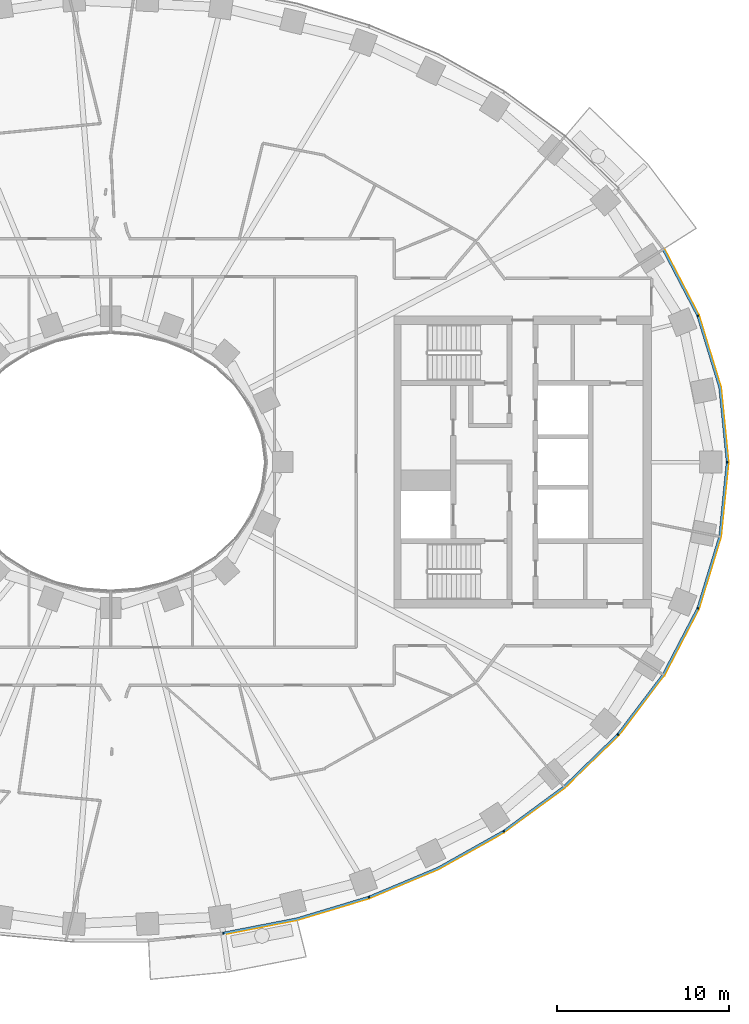
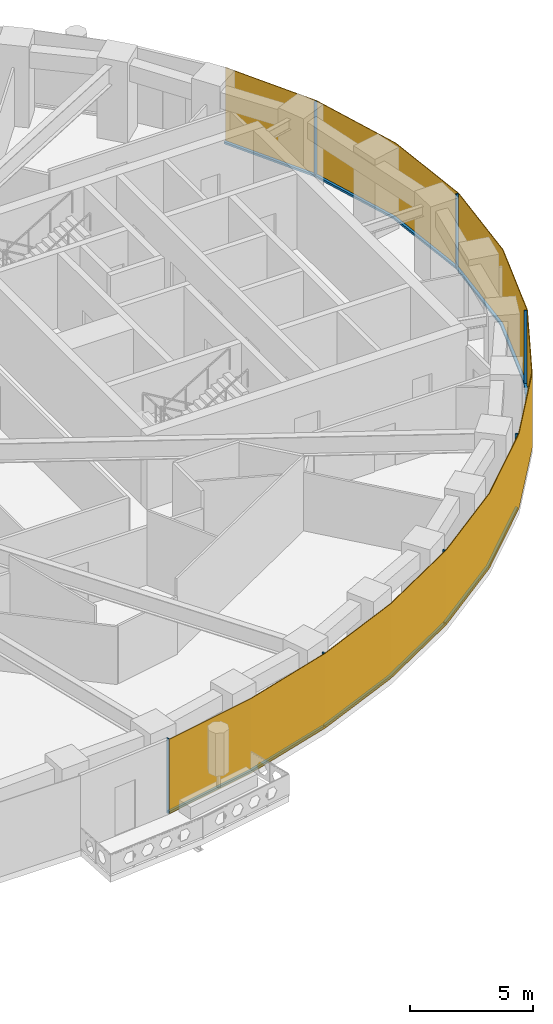
# One storey, part 10 of 16: 14 members, 1 curtain wall.
"""IFC4 building model written with IfcOpenShell, lengths in metres."""

import ifcopenshell
import ifcopenshell.guid

model = None  # the IFC model being written
_history = None  # IfcOwnerHistory: only IFC2X3 demands one
_inside = {}  # id of a spatial element -> (the spatial element, [elements in it])
_under = {}  # id of a project, library or spatial element -> (it, [spatial elements below it])
_declared = {}  # id of a project -> (the project, [libraries it declares])
_typed = {}  # id of a type object -> (the type object, [elements of that type])
_made_of = {}  # id of a material, layer set ... -> (it, [elements and type objects made of it])


def new_model(schema):
    """Start an empty IFC model of exactly this schema.

    Asked for "IFC4X3", IfcOpenShell would pick the latest addendum, in which some entities
    have other attributes; the version numbers below select the first issue.
    IFC2X3 requires an IfcOwnerHistory on every rooted entity: one is made here for all.
    """
    global model, _history
    if schema == "IFC4X3":
        model = ifcopenshell.file(schema_version=(4, 3, 0, 0))
    else:
        model = ifcopenshell.file(schema=schema)
    _inside.clear()
    _under.clear()
    _declared.clear()
    _typed.clear()
    _made_of.clear()
    _history = None
    if model.schema == "IFC2X3":
        org = make("IfcOrganization", Name="unknown")
        user = make(
            "IfcPersonAndOrganization",
            ThePerson=make("IfcPerson", FamilyName="unknown"),
            TheOrganization=org,
        )
        app = make(
            "IfcApplication",
            ApplicationDeveloper=org,
            Version="unknown",
            ApplicationFullName="unknown",
            ApplicationIdentifier="unknown",
        )
        _history = make(
            "IfcOwnerHistory",
            OwningUser=user,
            OwningApplication=app,
            ChangeAction="ADDED",
            CreationDate=0,
        )
    return model


def make(cls, **values):
    """One entity of the class cls with the attributes given. An attribute that is None is left unset."""
    return model.create_entity(
        cls, **{name: value for name, value in values.items() if value is not None}
    )


def rooted(cls, **values):
    """An entity with a GlobalId (a new one), such as an element, a storey or a relation."""
    return make(cls, GlobalId=ifcopenshell.guid.new(), OwnerHistory=_history, **values)


def si_unit(unit_type, name, prefix=None):
    """IfcSIUnit, for example si_unit("LENGTHUNIT", "METRE", prefix="MILLI")."""
    return make("IfcSIUnit", UnitType=unit_type, Prefix=prefix, Name=name)


def assignment(units):
    """IfcUnitAssignment: the units of a project."""
    return None if units is None else make("IfcUnitAssignment", Units=units)


def point(xyz):
    """IfcCartesianPoint."""
    return None if xyz is None else make("IfcCartesianPoint", Coordinates=xyz)


def direction(xyz):
    """IfcDirection."""
    return None if xyz is None else make("IfcDirection", DirectionRatios=xyz)


def frame(location, z_axis=None, x_axis=None):
    """IfcAxis2Placement3D, a coordinate frame: its origin and axes. An axis left out is left unset."""
    return make(
        "IfcAxis2Placement3D",
        Location=point(location),
        Axis=direction(z_axis),
        RefDirection=direction(x_axis),
    )


def frame_2d(location, x_axis=None):
    """IfcAxis2Placement2D, a coordinate frame in the plane: its origin and x axis."""
    return make(
        "IfcAxis2Placement2D", Location=point(location), RefDirection=direction(x_axis)
    )


def origin():
    """The frame at (0, 0, 0) with its axes left unset."""
    return frame((0.0, 0.0, 0.0))


def origin_2d():
    """The frame at (0, 0) in the plane with its x axis left unset."""
    return frame_2d((0.0, 0.0))


def place(relative_to, where):
    """IfcLocalPlacement: puts the frame where relative to a parent placement (None: the world)."""
    return make(
        "IfcLocalPlacement", PlacementRelTo=relative_to, RelativePlacement=where
    )


def context(
    kind, dimensions, precision=None, world=None, true_north=None, identifier=None
):
    """IfcGeometricRepresentationContext, for example the 3D "Model" context."""
    return make(
        "IfcGeometricRepresentationContext",
        ContextIdentifier=identifier,
        ContextType=kind,
        CoordinateSpaceDimension=dimensions,
        Precision=precision,
        WorldCoordinateSystem=world,
        TrueNorth=true_north,
    )


def subcontext(parent, identifier, kind, view, scale=None):
    """IfcGeometricRepresentationSubContext, for example "Body" below "Model"."""
    return make(
        "IfcGeometricRepresentationSubContext",
        ContextIdentifier=identifier,
        ContextType=kind,
        ParentContext=parent,
        TargetScale=scale,
        TargetView=view,
    )


def project(units=None, contexts=None):
    """IfcProject with its units and contexts."""
    return rooted(
        "IfcProject",
        Name="project",
        RepresentationContexts=contexts,
        UnitsInContext=assignment(units),
    )


def spatial(cls, under=None, at=None, **own):
    """A site, building, storey or space (cls), placed at a placement, below another one or the project."""
    s = rooted(cls, ObjectPlacement=at, **own)
    if under is not None:
        _under.setdefault(under.id(), (under, []))[1].append(s)
    return s


def polyline(points):
    """IfcPolyline through the points."""
    return make("IfcPolyline", Points=[point(p) for p in points])


def profile(cls, at=None, kind="AREA", **sizes):
    """A parametric profile (cls). Its sizes go by their IFC names, for example OverallWidth=200.0."""
    return make(cls, ProfileType=kind, Position=at, **sizes)


def rectangle(**sizes):
    """IfcRectangleProfileDef."""
    return profile("IfcRectangleProfileDef", **sizes)


def outline(outer, holes=None, kind="AREA"):
    """IfcArbitraryClosedProfileDef: a profile drawn as a closed curve; with holes, ...WithVoids."""
    if holes is None:
        return make("IfcArbitraryClosedProfileDef", ProfileType=kind, OuterCurve=outer)
    return make(
        "IfcArbitraryProfileDefWithVoids",
        ProfileType=kind,
        OuterCurve=outer,
        InnerCurves=holes,
    )


def extrude(swept, where, along, depth):
    """IfcExtrudedAreaSolid: the profile swept, set in the frame where, extruded along a direction by depth."""
    return make(
        "IfcExtrudedAreaSolid",
        SweptArea=swept,
        Position=where,
        ExtrudedDirection=direction(along),
        Depth=depth,
    )


def shape(context_of_items, identifier, shape_type, items):
    """IfcShapeRepresentation: the items that make up one representation, for example the "Body"."""
    return make(
        "IfcShapeRepresentation",
        ContextOfItems=context_of_items,
        RepresentationIdentifier=identifier,
        RepresentationType=shape_type,
        Items=items,
    )


def material(Name=None, Category=None):
    """IfcMaterial."""
    return make("IfcMaterial", Name=Name, Category=Category)


def layer(
    of_material, thickness, ventilated=None, Name=None, Category=None, Priority=None
):
    """IfcMaterialLayer: one layer of a wall or slab, of a material (None: an air gap)."""
    return make(
        "IfcMaterialLayer",
        Material=of_material,
        LayerThickness=thickness,
        IsVentilated=ventilated,
        Name=Name,
        Category=Category,
        Priority=Priority,
    )


def layer_set(layers, Name=None):
    """IfcMaterialLayerSet."""
    return make("IfcMaterialLayerSet", MaterialLayers=layers, LayerSetName=Name)


def material_profile(
    of_material, cross_section, Name=None, Category=None, Priority=None
):
    """IfcMaterialProfile: a cross section and its material."""
    return make(
        "IfcMaterialProfile",
        Name=Name,
        Material=of_material,
        Profile=cross_section,
        Priority=Priority,
        Category=Category,
    )


def profile_set(profiles, Name=None, composite=None):
    """IfcMaterialProfileSet."""
    return make(
        "IfcMaterialProfileSet",
        Name=Name,
        MaterialProfiles=profiles,
        CompositeProfile=composite,
    )


def made_of(thing, what):
    """Note that an element or type object is made of a material, layer set ...; save() writes the relation."""
    if what is not None:
        _made_of.setdefault(what.id(), (what, []))[1].append(thing)
    return thing


def type_object(cls, material=None, **own):
    """A type object (cls), such as IfcWallType, which elements share."""
    return made_of(rooted(cls, **own), material)


def element(
    cls,
    number,
    at=None,
    inside=None,
    cuts=None,
    type_object=None,
    material=None,
    context=None,
    identifier="Body",
    shape_type=None,
    held_by="IfcProductDefinitionShape",
    body=None,
    shapes=None,
    **own,
):
    """One element of the class cls, such as IfcWall. Its Tag is "e" and its number.

    at: its placement. inside: the storey or other place that contains it. cuts: it is an
    opening in that element (IfcRelVoidsElement). A single representation is given by context,
    identifier, shape_type and body (its items); several are given by shapes. held_by: the class
    of the entity that holds the representations. save() writes the other relations.
    """
    e = rooted(cls, Tag="e%d" % number, ObjectPlacement=at, **own)
    if body is not None:
        shapes = [shape(context, identifier, shape_type, body)]
    if shapes is not None:
        e.Representation = make(held_by, Representations=shapes)
    if inside is not None:
        _inside.setdefault(inside.id(), (inside, []))[1].append(e)
    if cuts is not None:
        rooted(
            "IfcRelVoidsElement", RelatingBuildingElement=cuts, RelatedOpeningElement=e
        )
    if type_object is not None:
        _typed.setdefault(type_object.id(), (type_object, []))[1].append(e)
    return made_of(e, material)


def aggregate(whole, parts):
    """IfcRelAggregates: a whole, such as a stair, and the parts it consists of."""
    return rooted("IfcRelAggregates", RelatingObject=whole, RelatedObjects=parts)


def save(model, path):
    """Write the relations noted so far, then the file.

    IfcRelAggregates (storeys below a building ...), IfcRelContainedInSpatialStructure (elements
    in a storey), IfcRelDefinesByType, IfcRelAssociatesMaterial and IfcRelDeclares: one each for
    every whole, place, type object, material and project.
    """
    for whole, parts in _under.values():
        aggregate(whole, parts)
    for where, things in _inside.values():
        rooted(
            "IfcRelContainedInSpatialStructure",
            RelatedElements=things,
            RelatingStructure=where,
        )
    for kind, things in _typed.values():
        rooted("IfcRelDefinesByType", RelatedObjects=things, RelatingType=kind)
    for what, things in _made_of.values():
        rooted("IfcRelAssociatesMaterial", RelatedObjects=things, RelatingMaterial=what)
    for by, libraries in _declared.values():
        rooted("IfcRelDeclares", RelatingContext=by, RelatedDefinitions=libraries)
    model.write(path)


model = new_model("IFC4")

# Units and contexts
model_context = context("Model", 3, precision=1e-05, world=origin(), true_north=direction((0.0, 1.0)))
body_context = subcontext(model_context, "Body", "Model", "MODEL_VIEW")
ifc_project = project(units=[si_unit("LENGTHUNIT", "METRE"), si_unit("AREAUNIT", "SQUARE_METRE"), si_unit("VOLUMEUNIT", "CUBIC_METRE"), si_unit("PLANEANGLEUNIT", "RADIAN"), si_unit("MASSUNIT", "GRAM", prefix="KILO")], contexts=[model_context])

# Member
ifc_material_1 = material(Name="Aluminium 6063-T6 black anodised", Category="aluminium")
ifc_material_profile = material_profile(ifc_material_1, rectangle(XDim=0.1201171875, YDim=0.06005859375, at=origin_2d()), Name="120x60")
ifc_profile_set = profile_set([ifc_material_profile], Name="Aluminium 6063-T6 black anodised")
member_type_1 = type_object("IfcMemberType", Name="ENV-MULLION-A-120", PredefinedType="MULLION", material=ifc_profile_set)
site_placement = place(None, origin())
building_placement = place(site_placement, origin())
storey_placement = place(building_placement, frame((0.0, 0.0, 96.0)))
member_1_placement = place(storey_placement, frame((6.54638671875, -27.440185546875, 0.0), z_axis=(0.0, 0.0, 1.0), x_axis=(-0.143082012705, 0.989710835366, 0.0)))
member_1 = element("IfcMember", 1, at=member_1_placement, type_object=member_type_1, Name="Mullion A radial 37", PredefinedType="MULLION", context=body_context, shape_type="SweptSolid", body=[
    extrude(rectangle(XDim=0.1201171875, YDim=0.06005859375, at=origin_2d()), origin(), (0.0, 0.0, 1.0), 3.699951171875),
])

member_2_placement = place(storey_placement, frame((15.0341796875, -25.34375, 0.0), z_axis=(0.0, 0.0, 1.0), x_axis=(-0.338379256581, 0.941009818608, 0.0)))
member_2 = element("IfcMember", 2, at=member_2_placement, type_object=member_type_1, Name="Mullion A radial 39", PredefinedType="MULLION", context=body_context, shape_type="SweptSolid", body=[
    extrude(rectangle(XDim=0.1201171875, YDim=0.06005859375, at=origin_2d()), origin(), (0.0, 0.0, 1.0), 3.699951171875),
])

member_3_placement = place(storey_placement, frame((22.882568359375, -21.506591796875, 0.0), z_axis=(0.0, 0.0, 1.0), x_axis=(-0.542279153225, 0.840198381323, 0.0)))
member_3 = element("IfcMember", 3, at=member_3_placement, type_object=member_type_1, Name="Mullion A radial 41", PredefinedType="MULLION", context=body_context, shape_type="SweptSolid", body=[
    extrude(rectangle(XDim=0.1201171875, YDim=0.06005859375, at=origin_2d()), origin(), (0.0, 0.0, 1.0), 3.699951171875),
])

member_4_placement = place(storey_placement, frame((29.53857421875, -15.8671875, 0.0), z_axis=(0.0, 0.0, 1.0), x_axis=(-0.749047221705, 0.662516610853, 0.0)))
member_4 = element("IfcMember", 4, at=member_4_placement, type_object=member_type_1, Name="Mullion A radial 43", PredefinedType="MULLION", context=body_context, shape_type="SweptSolid", body=[
    extrude(rectangle(XDim=0.1201171875, YDim=0.06005859375, at=origin_2d()), origin(), (0.0, 0.0, 1.0), 3.699951171875),
])

member_5_placement = place(storey_placement, frame((34.19580078125, -8.513916015625, 0.0), z_axis=(0.0, 0.0, 1.0), x_axis=(-0.92546738067, 0.378827305398, 0.0)))
member_5 = element("IfcMember", 5, at=member_5_placement, type_object=member_type_1, Name="Mullion A radial 45", PredefinedType="MULLION", context=body_context, shape_type="SweptSolid", body=[
    extrude(rectangle(XDim=0.1201171875, YDim=0.06005859375, at=origin_2d()), origin(), (0.0, 0.0, 1.0), 3.699951171875),
])

member_6_placement = place(storey_placement, frame((35.907958984375, 0.0, 0.0), z_axis=(0.0, 0.0, 1.0), x_axis=(-1.0, 0.0, 0.0)))
member_6 = element("IfcMember", 6, at=member_6_placement, type_object=member_type_1, Name="Mullion A radial 01", PredefinedType="MULLION", context=body_context, shape_type="SweptSolid", body=[
    extrude(rectangle(XDim=0.1201171875, YDim=0.06005859375, at=origin_2d()), origin(), (0.0, 0.0, 1.0), 3.699951171875),
])

member_7_placement = place(storey_placement, frame((34.19580078125, 8.513916015625, 0.0), z_axis=(0.0, 0.0, 1.0), x_axis=(-0.92546738067, -0.378827305398, 0.0)))
member_7 = element("IfcMember", 7, at=member_7_placement, type_object=member_type_1, Name="Mullion A radial 03", PredefinedType="MULLION", context=body_context, shape_type="SweptSolid", body=[
    extrude(rectangle(XDim=0.1201171875, YDim=0.06005859375, at=origin_2d()), origin(), (0.0, 0.0, 1.0), 3.699951171875),
])

ifc_material_2 = material(Name="Aluminium 6063-T6 black anodised", Category="aluminium")
member_type_2 = type_object("IfcMemberType", Name="ENV-TRANSOM-A", PredefinedType="USERDEFINED", material=ifc_material_2)
member_8_placement = place(storey_placement, origin())
member_8 = element("IfcMember", 8, at=member_8_placement, type_object=member_type_2, Name="Transom A radial 37-39", ObjectType="TRANSOM", PredefinedType="USERDEFINED", context=body_context, shape_type="SweptSolid", body=[
    extrude(outline(polyline([(6.58251953125, -27.494140625), (10.857666015625, -26.6630859375), (15.027587890625, -25.408203125), (14.987060546875, -25.295166015625), (10.828857421875, -26.54638671875), (6.5654296875, -27.375244140625), (6.58251953125, -27.494140625)])), origin(), (0.0, 0.0, 1.0), 0.10009765625),
])

member_9_placement = place(storey_placement, origin())
member_9 = element("IfcMember", 9, at=member_9_placement, type_object=member_type_2, Name="Transom A radial 39-41", ObjectType="TRANSOM", PredefinedType="USERDEFINED", context=body_context, shape_type="SweptSolid", body=[
    extrude(outline(polyline([(15.080322265625, -25.389404296875), (19.093994140625, -23.701416015625), (22.890625, -21.570556640625), (22.825439453125, -21.469482421875), (19.041259765625, -23.593505859375), (15.03955078125, -25.276123046875), (15.080322265625, -25.389404296875)])), origin(), (0.0, 0.0, 1.0), 0.10009765625),
])

member_10_placement = place(storey_placement, origin())
member_10 = element("IfcMember", 10, at=member_10_placement, type_object=member_type_2, Name="Transom A radial 41-43", ObjectType="TRANSOM", PredefinedType="USERDEFINED", context=body_context, shape_type="SweptSolid", body=[
    extrude(outline(polyline([(22.937744140625, -21.540283203125), (26.4423828125, -18.958740234375), (29.5634765625, -15.926513671875), (29.473388671875, -15.8466796875), (26.364501953125, -18.866943359375), (22.87255859375, -21.439208984375), (22.937744140625, -21.540283203125)])), origin(), (0.0, 0.0, 1.0), 0.10009765625),
])

member_11_placement = place(storey_placement, origin())
member_11 = element("IfcMember", 11, at=member_11_placement, type_object=member_type_2, Name="Transom A radial 43-45", ObjectType="TRANSOM", PredefinedType="USERDEFINED", context=body_context, shape_type="SweptSolid", body=[
    extrude(outline(polyline([(29.6005859375, -15.884521484375), (32.22802734375, -12.41748046875), (34.23828125, -8.5615234375), (34.126708984375, -8.515869140625), (32.126220703125, -12.35302734375), (29.51025390625, -15.8046875), (29.6005859375, -15.884521484375)])), origin(), (0.0, 0.0, 1.0), 0.10009765625),
])

member_12_placement = place(storey_placement, origin())
member_12 = element("IfcMember", 12, at=member_12_placement, type_object=member_type_2, Name="Transom A radial 45-01", ObjectType="TRANSOM", PredefinedType="USERDEFINED", context=body_context, shape_type="SweptSolid", body=[
    extrude(outline(polyline([(34.259521484375, -8.509765625), (35.529541015625, -4.352294921875), (35.965087890625, -0.02783203125), (35.844482421875, -0.02783203125), (35.411376953125, -4.32861328125), (34.14794921875, -8.464111328125), (34.259521484375, -8.509765625)])), origin(), (0.0, 0.0, 1.0), 0.10009765625),
])

member_13_placement = place(storey_placement, origin())
member_13 = element("IfcMember", 13, at=member_13_placement, type_object=member_type_2, Name="Transom A radial 01-03", ObjectType="TRANSOM", PredefinedType="USERDEFINED", context=body_context, shape_type="SweptSolid", body=[
    extrude(outline(polyline([(35.965087890625, 0.02783203125), (35.529541015625, 4.352294921875), (34.259521484375, 8.509765625), (34.14794921875, 8.464111328125), (35.411376953125, 4.32861328125), (35.844482421875, 0.02783203125), (35.965087890625, 0.02783203125)])), origin(), (0.0, 0.0, 1.0), 0.10009765625),
])

member_14_placement = place(storey_placement, origin())
member_14 = element("IfcMember", 14, at=member_14_placement, type_object=member_type_2, Name="Transom A radial 03-04", ObjectType="TRANSOM", PredefinedType="USERDEFINED", context=body_context, shape_type="SweptSolid", body=[
    extrude(outline(polyline([(34.23828125, 8.5615234375), (32.2373046875, 12.39990234375), (32.135498046875, 12.33544921875), (34.126708984375, 8.515869140625), (34.23828125, 8.5615234375)])), origin(), (0.0, 0.0, 1.0), 0.10009765625),
])

# Site, building, storey
site = spatial("IfcSite", under=ifc_project, at=site_placement, CompositionType="ELEMENT")
building = spatial("IfcBuilding", under=site, at=building_placement, Name="Noorbagh Ring Tower", CompositionType="ELEMENT")
storey = spatial("IfcBuildingStorey", under=building, at=storey_placement, Name="L21", CompositionType="ELEMENT", Elevation=96.0)

# Curtain wall
ifc_material_3 = material(Name="Glass dark tinted laminated", Category="glass")
ifc_layer = layer(ifc_material_3, 0.031982421875)
ifc_layer_set = layer_set([ifc_layer], Name="Glass dark tinted laminated")
curtain_wall_type = type_object("IfcCurtainWallType", Name="ENV-CW-A", PredefinedType="NOTDEFINED", material=ifc_layer_set)
curtain_wall_placement = place(storey_placement, origin())
curtain_wall = element("IfcCurtainWall", 15, at=curtain_wall_placement, inside=storey, type_object=curtain_wall_type, Name="Curtain wall A R37", PredefinedType="NOTDEFINED", context=body_context, shape_type="SweptSolid", body=[
    extrude(outline(polyline([(6.579345703125, -27.52734375), (10.865234375, -26.6943359375), (15.065185546875, -25.430419921875), (19.108154296875, -23.730224609375), (22.9326171875, -21.583740234375), (26.463134765625, -18.9833984375), (29.607666015625, -15.927978515625), (32.255126953125, -12.434814453125), (34.281005859375, -8.548828125), (35.561279296875, -4.358642578125), (36.0, 0.0), (35.561279296875, 4.358642578125), (34.281005859375, 8.548828125), (32.264404296875, 12.4169921875), (32.2373046875, 12.39990234375), (34.251220703125, 8.53662109375), (35.529541015625, 4.352294921875), (35.9677734375, 0.0), (35.529541015625, -4.352294921875), (34.251220703125, -8.53662109375), (32.22802734375, -12.41748046875), (29.58349609375, -15.906982421875), (26.4423828125, -18.958740234375), (22.9150390625, -21.556884765625), (19.093994140625, -23.701416015625), (15.054443359375, -25.400146484375), (10.857666015625, -26.6630859375), (6.57470703125, -27.49560546875), (6.579345703125, -27.52734375)])), origin(), (0.0, 0.0, 1.0), 3.699951171875),
])

aggregate(curtain_wall, [member_1, member_2, member_3, member_4, member_5, member_6, member_7, member_8, member_9, member_10, member_11, member_12, member_13, member_14])

save(model, "model.ifc")
